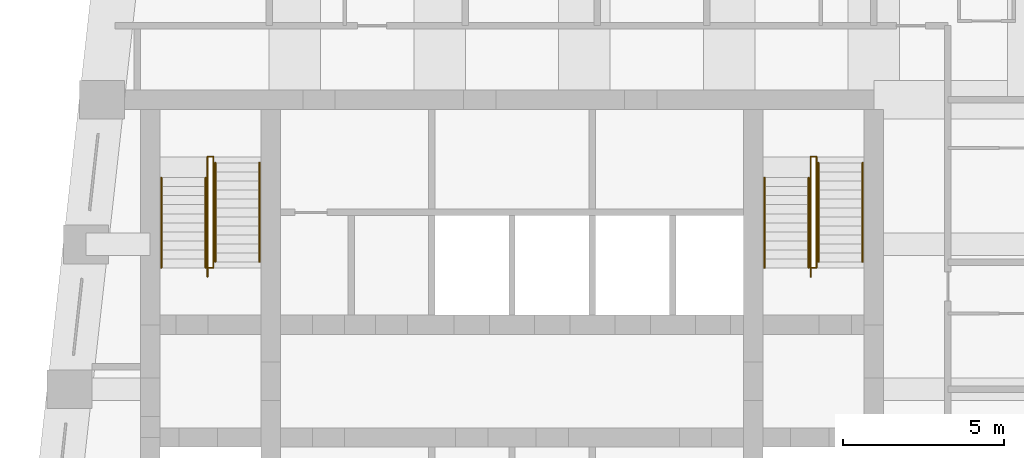
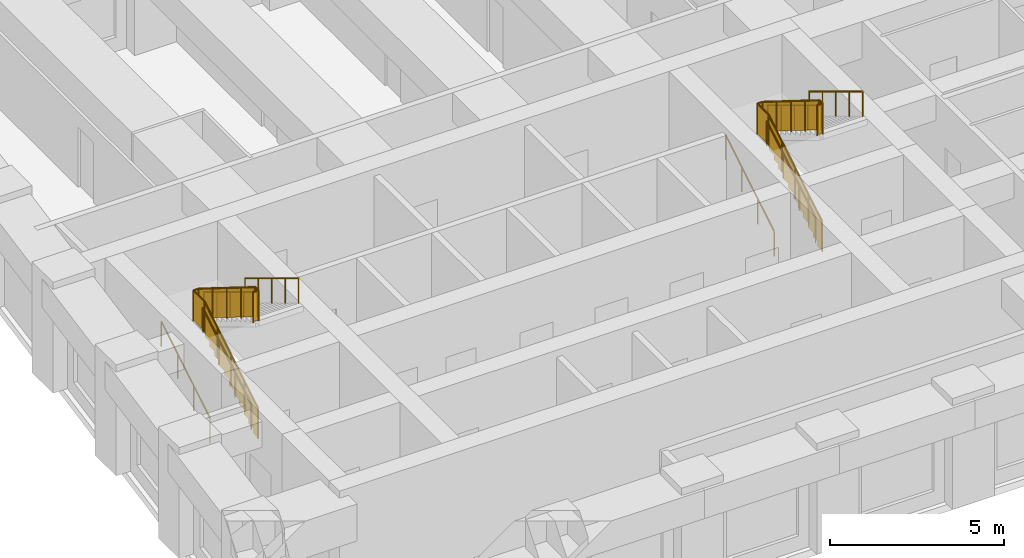
# One storey, part 7 of 7: 12 railings.
"""IFC4 building model written with IfcOpenShell, lengths in metres."""

from ifc_helpers import new_model, si_unit, direction, frame, origin, origin_2d, place, context, subcontext, project, spatial, polyline, circle, outline, extrude, material, type_object, element, save


model = new_model("IFC4")

# Units and contexts
model_context = context("Model", 3, precision=1e-05, world=origin(), true_north=direction((0.0, 1.0)))
body_context = subcontext(model_context, "Body", "Model", "MODEL_VIEW")
ifc_project = project(units=[si_unit("LENGTHUNIT", "METRE"), si_unit("AREAUNIT", "SQUARE_METRE"), si_unit("VOLUMEUNIT", "CUBIC_METRE"), si_unit("PLANEANGLEUNIT", "RADIAN"), si_unit("MASSUNIT", "GRAM", prefix="KILO")], contexts=[model_context])

# Site, building, storey
site_placement = place(None, origin())
site = spatial("IfcSite", under=ifc_project, at=site_placement, CompositionType="ELEMENT")
building_placement = place(site_placement, origin())
building = spatial("IfcBuilding", under=site, at=building_placement, Name="Kilele Tower Hotel", CompositionType="ELEMENT")
storey_placement = place(building_placement, frame((0.0, 0.0, 278.0)))
storey = spatial("IfcBuildingStorey", under=building, at=storey_placement, Name="L71", CompositionType="ELEMENT", Elevation=278.0)

# Railings
ifc_material_1 = material(Name="Steel handrail", Category="steel")
railing_type_1 = type_object("IfcRailingType", Name="Handrail 900", PredefinedType="HANDRAIL", material=ifc_material_1)
for number, where, name in (
    (1, (13.85009765625, 21.77490234375, 0.169677734375), "Handrail ST1 flight 1"),
    (2, (15.22509765625, 21.77490234375, 0.169677734375), "Handrail ST1 flight 1"),
):
    element("IfcRailing", number, at=place(storey_placement, frame(where)), inside=storey, type_object=railing_type_1, Name=name, PredefinedType="HANDRAIL", context=body_context, shape_type="SweptSolid", body=[
        extrude(circle(Radius=0.02490234375, at=origin_2d()), frame((0.0, 0.0, 0.875), z_axis=(0.0, 0.855393119324, 0.517979354234), x_axis=(-1.0, 0.0, 0.0)), (0.0, 0.0, 1.0), 3.2734375),
        extrude(circle(Radius=0.02001953125, at=origin_2d()), origin(), (0.0, 0.0, 1.0), 0.849853515625),
        extrude(circle(Radius=0.02001953125, at=origin_2d()), frame((0.0, 0.933349609375, 0.565185546875)), (0.0, 0.0, 1.0), 0.849853515625),
        extrude(circle(Radius=0.02001953125, at=origin_2d()), frame((0.0, 1.86669921875, 1.13037109375)), (0.0, 0.0, 1.0), 0.849853515625),
        extrude(circle(Radius=0.02001953125, at=origin_2d()), frame((0.0, 2.800048828125, 1.695556640625)), (0.0, 0.0, 1.0), 0.849853515625),
    ])
for number, where, name in (
    (3, (15.52490234375, 25.0400390625, 2.03466796875), "Handrail ST1 flight 2"),
    (4, (16.89990234375, 25.0400390625, 2.03466796875), "Handrail ST1 flight 2"),
):
    element("IfcRailing", number, at=place(storey_placement, frame(where)), inside=storey, type_object=railing_type_1, Name=name, PredefinedType="HANDRAIL", context=body_context, shape_type="SweptSolid", body=[
        extrude(circle(Radius=0.02490234375, at=origin_2d()), frame((0.0, 0.0, 0.875), z_axis=(0.0, -0.855379917629, 0.518001154937), x_axis=(1.0, 0.0, 0.0)), (0.0, 0.0, 1.0), 3.600830078125),
        extrude(circle(Radius=0.02001953125, at=origin_2d()), origin(), (0.0, 0.0, 1.0), 0.849853515625),
        extrude(circle(Radius=0.02001953125, at=origin_2d()), frame((0.0, -0.77001953125, 0.46630859375)), (0.0, 0.0, 1.0), 0.849853515625),
        extrude(circle(Radius=0.02001953125, at=origin_2d()), frame((0.0, -1.5400390625, 0.9326171875)), (0.0, 0.0, 1.0), 0.849853515625),
        extrude(circle(Radius=0.02001953125, at=origin_2d()), frame((0.0, -2.31005859375, 1.39892578125)), (0.0, 0.0, 1.0), 0.849853515625),
        extrude(circle(Radius=0.02001953125, at=origin_2d()), frame((0.0, -3.080078125, 1.865234375)), (0.0, 0.0, 1.0), 0.849853515625),
    ])
for number, where, name in (
    (5, (32.60009765625, 21.77490234375, 0.169677734375), "Handrail ST2 flight 1"),
    (6, (33.97509765625, 21.77490234375, 0.169677734375), "Handrail ST2 flight 1"),
):
    element("IfcRailing", number, at=place(storey_placement, frame(where)), inside=storey, type_object=railing_type_1, Name=name, PredefinedType="HANDRAIL", context=body_context, shape_type="SweptSolid", body=[
        extrude(circle(Radius=0.02490234375, at=origin_2d()), frame((0.0, 0.0, 0.875), z_axis=(0.0, 0.855393119324, 0.517979354234), x_axis=(-1.0, 0.0, 0.0)), (0.0, 0.0, 1.0), 3.2734375),
        extrude(circle(Radius=0.02001953125, at=origin_2d()), origin(), (0.0, 0.0, 1.0), 0.849853515625),
        extrude(circle(Radius=0.02001953125, at=origin_2d()), frame((0.0, 0.933349609375, 0.565185546875)), (0.0, 0.0, 1.0), 0.849853515625),
        extrude(circle(Radius=0.02001953125, at=origin_2d()), frame((0.0, 1.86669921875, 1.13037109375)), (0.0, 0.0, 1.0), 0.849853515625),
        extrude(circle(Radius=0.02001953125, at=origin_2d()), frame((0.0, 2.800048828125, 1.695556640625)), (0.0, 0.0, 1.0), 0.849853515625),
    ])
for number, where, name in (
    (7, (34.27490234375, 25.0400390625, 2.03466796875), "Handrail ST2 flight 2"),
    (8, (35.64990234375, 25.0400390625, 2.03466796875), "Handrail ST2 flight 2"),
):
    element("IfcRailing", number, at=place(storey_placement, frame(where)), inside=storey, type_object=railing_type_1, Name=name, PredefinedType="HANDRAIL", context=body_context, shape_type="SweptSolid", body=[
        extrude(circle(Radius=0.02490234375, at=origin_2d()), frame((0.0, 0.0, 0.875), z_axis=(0.0, -0.855379917629, 0.518001154937), x_axis=(1.0, 0.0, 0.0)), (0.0, 0.0, 1.0), 3.600830078125),
        extrude(circle(Radius=0.02001953125, at=origin_2d()), origin(), (0.0, 0.0, 1.0), 0.849853515625),
        extrude(circle(Radius=0.02001953125, at=origin_2d()), frame((0.0, -0.77001953125, 0.46630859375)), (0.0, 0.0, 1.0), 0.849853515625),
        extrude(circle(Radius=0.02001953125, at=origin_2d()), frame((0.0, -1.5400390625, 0.9326171875)), (0.0, 0.0, 1.0), 0.849853515625),
        extrude(circle(Radius=0.02001953125, at=origin_2d()), frame((0.0, -2.31005859375, 1.39892578125)), (0.0, 0.0, 1.0), 0.849853515625),
        extrude(circle(Radius=0.02001953125, at=origin_2d()), frame((0.0, -3.080078125, 1.865234375)), (0.0, 0.0, 1.0), 0.849853515625),
    ])
ifc_material_2 = material(Name="Steel guard", Category="steel")
railing_type_2 = type_object("IfcRailingType", Name="Stair guard 1100", PredefinedType="GUARDRAIL", material=ifc_material_2)
railing_1_placement = place(storey_placement, frame((15.284912109375, 21.4951171875, 0.0)))
element("IfcRailing", 9, at=railing_1_placement, inside=storey, type_object=railing_type_2, Name="Stair well guard ST1 flight 1", PredefinedType="GUARDRAIL", context=body_context, shape_type="SweptSolid", body=[
    extrude(circle(Radius=0.02490234375, at=origin_2d()), frame((0.0, 0.0, 1.0751953125), z_axis=(0.0, 0.855361723277, 0.518031198243), x_axis=(-1.0, 0.0, 0.0)), (0.0, 0.0, 1.0), 3.6005859375),
    extrude(circle(Radius=0.02490234375, at=origin_2d()), frame((0.0, 3.079833984375, 2.9404296875), z_axis=(0.0, 1.0, 0.0), x_axis=(-1.0, 0.0, 0.0)), (0.0, 0.0, 1.0), 0.650146484375),
    extrude(circle(Radius=0.02490234375, at=origin_2d()), frame((0.0, 3.72998046875, 2.9404296875), z_axis=(1.0, 0.0, 0.0), x_axis=(0.0, 1.0, 0.0)), (0.0, 0.0, 1.0), 0.18017578125),
    extrude(circle(Radius=0.02490234375, at=origin_2d()), origin(), (0.0, 0.0, 1.0), 1.050048828125),
    extrude(circle(Radius=0.02490234375, at=origin_2d()), frame((0.0, 0.77001953125, 0.46630859375)), (0.0, 0.0, 1.0), 1.050048828125),
    extrude(circle(Radius=0.02490234375, at=origin_2d()), frame((0.0, 1.5400390625, 0.9326171875)), (0.0, 0.0, 1.0), 1.050048828125),
    extrude(circle(Radius=0.02490234375, at=origin_2d()), frame((0.0, 2.309814453125, 1.39892578125)), (0.0, 0.0, 1.0), 1.050048828125),
    extrude(circle(Radius=0.02490234375, at=origin_2d()), frame((0.0, 3.079833984375, 1.865234375)), (0.0, 0.0, 1.0), 1.050048828125),
    extrude(circle(Radius=0.02490234375, at=origin_2d()), frame((0.0, 3.72998046875, 1.865234375)), (0.0, 0.0, 1.0), 1.050048828125),
    extrude(circle(Radius=0.02490234375, at=origin_2d()), frame((0.18017578125, 3.72998046875, 1.865234375)), (0.0, 0.0, 1.0), 1.050048828125),
    extrude(outline(polyline([(0.012451171875, 0.030029296875), (0.25, 0.030029296875), (0.25, 0.19970703125), (0.530029296875, 0.19970703125), (0.530029296875, 0.369140625), (0.809814453125, 0.369140625), (0.809814453125, 0.538818359375), (1.08984375, 0.538818359375), (1.08984375, 0.708251953125), (1.369873046875, 0.708251953125), (1.369873046875, 0.8779296875), (1.64990234375, 0.8779296875), (1.64990234375, 1.04736328125), (1.929931640625, 1.04736328125), (1.929931640625, 1.217041015625), (2.2099609375, 1.217041015625), (2.2099609375, 1.386474609375), (2.48974609375, 1.386474609375), (2.48974609375, 1.55615234375), (2.769775390625, 1.55615234375), (2.769775390625, 1.7255859375), (3.0498046875, 1.7255859375), (3.0498046875, 1.895263671875), (3.0673828125, 1.895263671875), (3.0673828125, 2.903564453125), (0.012451171875, 1.053466796875), (0.012451171875, 0.030029296875)])), frame((-0.005859375, 0.0, 0.0), z_axis=(1.0, 0.0, 0.0), x_axis=(0.0, 1.0, 0.0)), (0.0, 0.0, 1.0), 0.011962890625),
    extrude(outline(polyline([(0.012451171875, 0.030029296875), (0.6376953125, 0.030029296875), (0.6376953125, 1.050048828125), (0.012451171875, 1.050048828125), (0.012451171875, 0.030029296875)])), frame((-0.005859375, 3.079833984375, 1.865234375), z_axis=(1.0, 0.0, 0.0), x_axis=(0.0, 1.0, 0.0)), (0.0, 0.0, 1.0), 0.011962890625),
    extrude(outline(polyline([(0.012451171875, 0.030029296875), (0.18017578125, 0.030029296875), (0.18017578125, 1.050048828125), (0.012451171875, 1.050048828125), (0.012451171875, 0.030029296875)])), frame((0.0, 3.73583984375, 1.865234375), z_axis=(0.0, -1.0, 0.0), x_axis=(1.0, 0.0, 0.0)), (0.0, 0.0, 1.0), 0.011962890625),
])
railing_2_placement = place(storey_placement, frame((15.465087890625, 25.22509765625, 1.865234375)))
element("IfcRailing", 10, at=railing_2_placement, inside=storey, type_object=railing_type_2, Name="Stair well guard ST1 flight 2", PredefinedType="GUARDRAIL", context=body_context, shape_type="SweptSolid", body=[
    extrude(circle(Radius=0.02490234375, at=origin_2d()), frame((0.0, 0.0, 1.0751953125), z_axis=(0.0, -0.848703446432, 0.528869038624), x_axis=(1.0, 0.0, 0.0)), (0.0, 0.0, 1.0), 3.84716796875),
    extrude(circle(Radius=0.02490234375, at=origin_2d()), frame((0.0, -3.26513671875, 3.10986328125), z_axis=(0.0, -1.0, 0.0), x_axis=(1.0, 0.0, 0.0)), (0.0, 0.0, 1.0), 0.18505859375),
    extrude(circle(Radius=0.02490234375, at=origin_2d()), frame((0.0, -3.4501953125, 3.10986328125), z_axis=(-1.0, 0.0, 0.0), x_axis=(0.0, -1.0, 0.0)), (0.0, 0.0, 1.0), 0.18017578125),
    extrude(circle(Radius=0.02490234375, at=origin_2d()), origin(), (0.0, 0.0, 1.0), 1.050048828125),
    extrude(circle(Radius=0.02490234375, at=origin_2d()), frame((0.0, -0.81640625, 0.5087890625)), (0.0, 0.0, 1.0), 1.050048828125),
    extrude(circle(Radius=0.02490234375, at=origin_2d()), frame((0.0, -1.632568359375, 1.017333984375)), (0.0, 0.0, 1.0), 1.050048828125),
    extrude(circle(Radius=0.02490234375, at=origin_2d()), frame((0.0, -2.44873046875, 1.52587890625)), (0.0, 0.0, 1.0), 1.050048828125),
    extrude(circle(Radius=0.02490234375, at=origin_2d()), frame((0.0, -3.26513671875, 2.03466796875)), (0.0, 0.0, 1.0), 1.050048828125),
    extrude(circle(Radius=0.02490234375, at=origin_2d()), frame((0.0, -3.4501953125, 2.03466796875)), (0.0, 0.0, 1.0), 1.050048828125),
    extrude(circle(Radius=0.02490234375, at=origin_2d()), frame((-0.18017578125, -3.4501953125, 2.03466796875)), (0.0, 0.0, 1.0), 1.050048828125),
    extrude(outline(polyline([(0.0, 0.030029296875), (3.252685546875, 2.056884765625), (3.252685546875, 3.072509765625), (0.0, 1.045654296875), (0.0, 0.030029296875)])), frame((0.005859375, 0.0, 0.0), z_axis=(-1.0, 0.0, 0.0), x_axis=(0.0, -1.0, 0.0)), (0.0, 0.0, 1.0), 0.011962890625),
    extrude(outline(polyline([(0.012451171875, 0.030029296875), (0.172607421875, 0.030029296875), (0.172607421875, 1.050048828125), (0.012451171875, 1.050048828125), (0.012451171875, 0.030029296875)])), frame((0.005859375, -3.26513671875, 2.03466796875), z_axis=(-1.0, 0.0, 0.0), x_axis=(0.0, -1.0, 0.0)), (0.0, 0.0, 1.0), 0.011962890625),
    extrude(outline(polyline([(0.012451171875, 0.030029296875), (0.18017578125, 0.030029296875), (0.18017578125, 1.050048828125), (0.012451171875, 1.050048828125), (0.012451171875, 0.030029296875)])), frame((0.0, -3.4560546875, 2.03466796875), z_axis=(0.0, 1.0, 0.0), x_axis=(-1.0, 0.0, 0.0)), (0.0, 0.0, 1.0), 0.011962890625),
])
railing_3_placement = place(storey_placement, frame((34.034912109375, 21.4951171875, 0.0)))
element("IfcRailing", 11, at=railing_3_placement, inside=storey, type_object=railing_type_2, Name="Stair well guard ST2 flight 1", PredefinedType="GUARDRAIL", context=body_context, shape_type="SweptSolid", body=[
    extrude(circle(Radius=0.02490234375, at=origin_2d()), frame((0.0, 0.0, 1.0751953125), z_axis=(0.0, 0.855361723277, 0.518031198243), x_axis=(-1.0, 0.0, 0.0)), (0.0, 0.0, 1.0), 3.6005859375),
    extrude(circle(Radius=0.02490234375, at=origin_2d()), frame((0.0, 3.079833984375, 2.9404296875), z_axis=(0.0, 1.0, 0.0), x_axis=(-1.0, 0.0, 0.0)), (0.0, 0.0, 1.0), 0.650146484375),
    extrude(circle(Radius=0.02490234375, at=origin_2d()), frame((0.0, 3.72998046875, 2.9404296875), z_axis=(1.0, 0.0, 0.0), x_axis=(0.0, 1.0, 0.0)), (0.0, 0.0, 1.0), 0.18017578125),
    extrude(circle(Radius=0.02490234375, at=origin_2d()), origin(), (0.0, 0.0, 1.0), 1.050048828125),
    extrude(circle(Radius=0.02490234375, at=origin_2d()), frame((0.0, 0.77001953125, 0.46630859375)), (0.0, 0.0, 1.0), 1.050048828125),
    extrude(circle(Radius=0.02490234375, at=origin_2d()), frame((0.0, 1.5400390625, 0.9326171875)), (0.0, 0.0, 1.0), 1.050048828125),
    extrude(circle(Radius=0.02490234375, at=origin_2d()), frame((0.0, 2.309814453125, 1.39892578125)), (0.0, 0.0, 1.0), 1.050048828125),
    extrude(circle(Radius=0.02490234375, at=origin_2d()), frame((0.0, 3.079833984375, 1.865234375)), (0.0, 0.0, 1.0), 1.050048828125),
    extrude(circle(Radius=0.02490234375, at=origin_2d()), frame((0.0, 3.72998046875, 1.865234375)), (0.0, 0.0, 1.0), 1.050048828125),
    extrude(circle(Radius=0.02490234375, at=origin_2d()), frame((0.18017578125, 3.72998046875, 1.865234375)), (0.0, 0.0, 1.0), 1.050048828125),
    extrude(outline(polyline([(0.012451171875, 0.030029296875), (0.25, 0.030029296875), (0.25, 0.19970703125), (0.530029296875, 0.19970703125), (0.530029296875, 0.369140625), (0.809814453125, 0.369140625), (0.809814453125, 0.538818359375), (1.08984375, 0.538818359375), (1.08984375, 0.708251953125), (1.369873046875, 0.708251953125), (1.369873046875, 0.8779296875), (1.64990234375, 0.8779296875), (1.64990234375, 1.04736328125), (1.929931640625, 1.04736328125), (1.929931640625, 1.217041015625), (2.2099609375, 1.217041015625), (2.2099609375, 1.386474609375), (2.48974609375, 1.386474609375), (2.48974609375, 1.55615234375), (2.769775390625, 1.55615234375), (2.769775390625, 1.7255859375), (3.0498046875, 1.7255859375), (3.0498046875, 1.895263671875), (3.0673828125, 1.895263671875), (3.0673828125, 2.903564453125), (0.012451171875, 1.053466796875), (0.012451171875, 0.030029296875)])), frame((-0.005859375, 0.0, 0.0), z_axis=(1.0, 0.0, 0.0), x_axis=(0.0, 1.0, 0.0)), (0.0, 0.0, 1.0), 0.011962890625),
    extrude(outline(polyline([(0.012451171875, 0.030029296875), (0.6376953125, 0.030029296875), (0.6376953125, 1.050048828125), (0.012451171875, 1.050048828125), (0.012451171875, 0.030029296875)])), frame((-0.005859375, 3.079833984375, 1.865234375), z_axis=(1.0, 0.0, 0.0), x_axis=(0.0, 1.0, 0.0)), (0.0, 0.0, 1.0), 0.011962890625),
    extrude(outline(polyline([(0.012451171875, 0.030029296875), (0.18017578125, 0.030029296875), (0.18017578125, 1.050048828125), (0.012451171875, 1.050048828125), (0.012451171875, 0.030029296875)])), frame((0.0, 3.73583984375, 1.865234375), z_axis=(0.0, -1.0, 0.0), x_axis=(1.0, 0.0, 0.0)), (0.0, 0.0, 1.0), 0.011962890625),
])
railing_4_placement = place(storey_placement, frame((34.215087890625, 25.22509765625, 1.865234375)))
element("IfcRailing", 12, at=railing_4_placement, inside=storey, type_object=railing_type_2, Name="Stair well guard ST2 flight 2", PredefinedType="GUARDRAIL", context=body_context, shape_type="SweptSolid", body=[
    extrude(circle(Radius=0.02490234375, at=origin_2d()), frame((0.0, 0.0, 1.0751953125), z_axis=(0.0, -0.848703446432, 0.528869038624), x_axis=(1.0, 0.0, 0.0)), (0.0, 0.0, 1.0), 3.84716796875),
    extrude(circle(Radius=0.02490234375, at=origin_2d()), frame((0.0, -3.26513671875, 3.10986328125), z_axis=(0.0, -1.0, 0.0), x_axis=(1.0, 0.0, 0.0)), (0.0, 0.0, 1.0), 0.18505859375),
    extrude(circle(Radius=0.02490234375, at=origin_2d()), frame((0.0, -3.4501953125, 3.10986328125), z_axis=(-1.0, 0.0, 0.0), x_axis=(0.0, -1.0, 0.0)), (0.0, 0.0, 1.0), 0.18017578125),
    extrude(circle(Radius=0.02490234375, at=origin_2d()), origin(), (0.0, 0.0, 1.0), 1.050048828125),
    extrude(circle(Radius=0.02490234375, at=origin_2d()), frame((0.0, -0.81640625, 0.5087890625)), (0.0, 0.0, 1.0), 1.050048828125),
    extrude(circle(Radius=0.02490234375, at=origin_2d()), frame((0.0, -1.632568359375, 1.017333984375)), (0.0, 0.0, 1.0), 1.050048828125),
    extrude(circle(Radius=0.02490234375, at=origin_2d()), frame((0.0, -2.44873046875, 1.52587890625)), (0.0, 0.0, 1.0), 1.050048828125),
    extrude(circle(Radius=0.02490234375, at=origin_2d()), frame((0.0, -3.26513671875, 2.03466796875)), (0.0, 0.0, 1.0), 1.050048828125),
    extrude(circle(Radius=0.02490234375, at=origin_2d()), frame((0.0, -3.4501953125, 2.03466796875)), (0.0, 0.0, 1.0), 1.050048828125),
    extrude(circle(Radius=0.02490234375, at=origin_2d()), frame((-0.18017578125, -3.4501953125, 2.03466796875)), (0.0, 0.0, 1.0), 1.050048828125),
    extrude(outline(polyline([(0.0, 0.030029296875), (3.252685546875, 2.056884765625), (3.252685546875, 3.072509765625), (0.0, 1.045654296875), (0.0, 0.030029296875)])), frame((0.005859375, 0.0, 0.0), z_axis=(-1.0, 0.0, 0.0), x_axis=(0.0, -1.0, 0.0)), (0.0, 0.0, 1.0), 0.011962890625),
    extrude(outline(polyline([(0.012451171875, 0.030029296875), (0.172607421875, 0.030029296875), (0.172607421875, 1.050048828125), (0.012451171875, 1.050048828125), (0.012451171875, 0.030029296875)])), frame((0.005859375, -3.26513671875, 2.03466796875), z_axis=(-1.0, 0.0, 0.0), x_axis=(0.0, -1.0, 0.0)), (0.0, 0.0, 1.0), 0.011962890625),
    extrude(outline(polyline([(0.012451171875, 0.030029296875), (0.18017578125, 0.030029296875), (0.18017578125, 1.050048828125), (0.012451171875, 1.050048828125), (0.012451171875, 0.030029296875)])), frame((0.0, -3.4560546875, 2.03466796875), z_axis=(0.0, 1.0, 0.0), x_axis=(-1.0, 0.0, 0.0)), (0.0, 0.0, 1.0), 0.011962890625),
])

save(model, "model.ifc")
